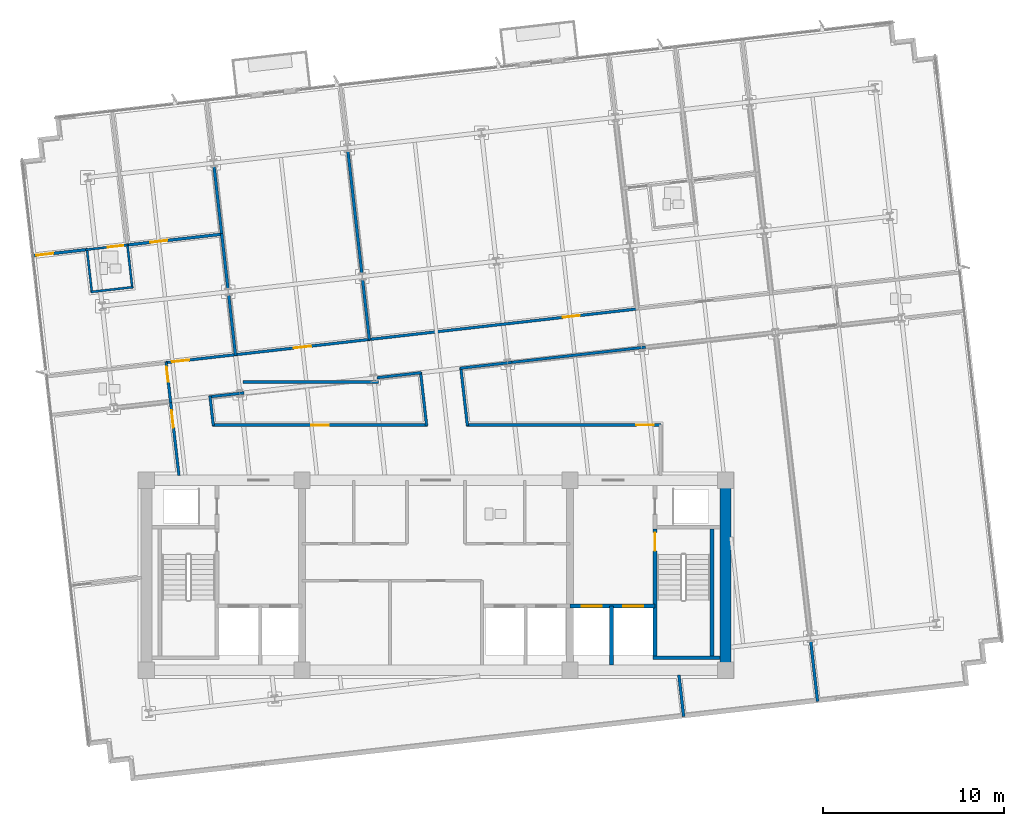
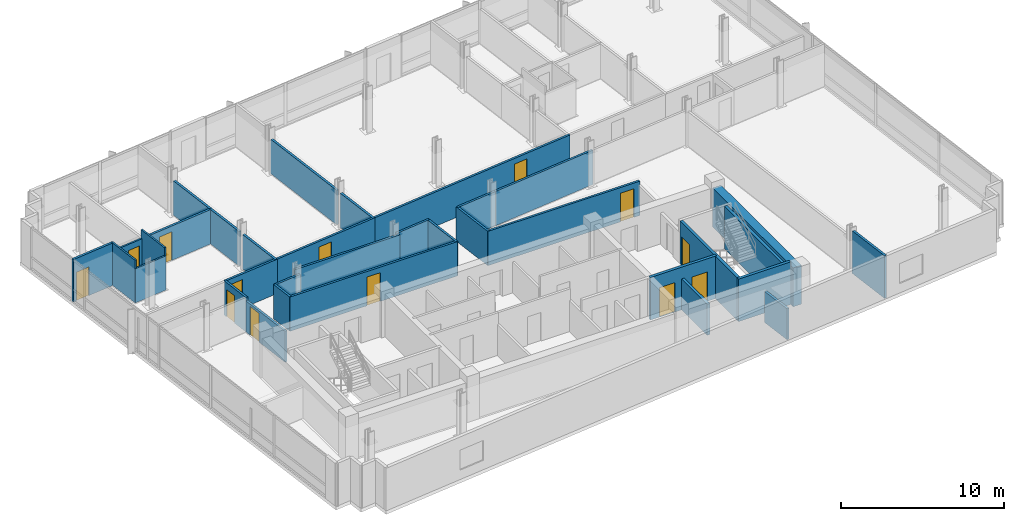
# One storey, part 9 of 15: 34 walls, 13 doors, 13 openings.
"""IFC4 building model written with IfcOpenShell, lengths in metres."""

from ifc_helpers import new_model, si_unit, direction, frame, frame_2d, origin, place, context, subcontext, project, spatial, rectangle, extrude, material, layer, layer_set, type_object, element, fill, save


model = new_model("IFC4")

# Units and contexts
model_context = context("Model", 3, precision=1e-05, world=origin(), true_north=direction((0.0, 1.0)))
body_context = subcontext(model_context, "Body", "Model", "MODEL_VIEW")
ifc_project = project(units=[si_unit("LENGTHUNIT", "METRE"), si_unit("AREAUNIT", "SQUARE_METRE"), si_unit("VOLUMEUNIT", "CUBIC_METRE"), si_unit("PLANEANGLEUNIT", "RADIAN"), si_unit("MASSUNIT", "GRAM", prefix="KILO")], contexts=[model_context])

# Site, building, storey
site_placement = place(None, origin())
site = spatial("IfcSite", under=ifc_project, at=site_placement, CompositionType="ELEMENT")
building_placement = place(site_placement, origin())
building = spatial("IfcBuilding", under=site, at=building_placement, Name="Solmavex Isthmus Hotel", CompositionType="ELEMENT")
storey_placement = place(building_placement, frame((0.0, 0.0, 226.199951171875)))
storey = spatial("IfcBuildingStorey", under=building, at=storey_placement, Name="L61", CompositionType="ELEMENT", Elevation=226.199951171875)

# Wall, opening, door
ifc_material_1 = material(Name="Gypsum plasterboard lining", Category="gypsum")
ifc_layer_1 = layer(ifc_material_1, 0.159912109375)
ifc_layer_set_1 = layer_set([ifc_layer_1], Name="Gypsum plasterboard lining")
wall_type_1 = type_object("IfcWallType", Name="IW-COMP-160", PredefinedType="PARTITIONING", material=ifc_layer_set_1)
wall_1_placement = place(storey_placement, frame((-22.2958984375, 9.89990234375, 0.0), z_axis=(0.0, 0.0, 1.0), x_axis=(0.993565909035, 0.113255394587, 0.0)))
wall_1 = element("IfcWall", 1, at=wall_1_placement, inside=storey, type_object=wall_type_1, Name="Interior Partition Wall W-L61-P022", PredefinedType="PARTITIONING", context=body_context, shape_type="SweptSolid", body=[
    extrude(rectangle(XDim=3.073974609375, YDim=0.159912109375, at=frame_2d((1.537109375, 0.0))), origin(), (0.0, 0.0, 1.0), 3.18994140625),
])
opening_1_placement = place(wall_1_placement, frame((0.2099609375, 0.0, 0.0)))
opening_1 = element("IfcOpeningElement", 2, at=opening_1_placement, cuts=wall_1, Name="Opening ID-C095", PredefinedType="OPENING", context=body_context, shape_type="SweptSolid", body=[
    extrude(rectangle(XDim=0.949951171875, YDim=2.14990234375, at=frame_2d((0.47509765625, 1.074951171875))), frame((0.0, 0.08984375, 0.0), z_axis=(0.0, -1.0, 0.0), x_axis=(1.0, 0.0, 0.0)), (0.0, 0.0, 1.0), 0.179931640625),
])
ifc_material_2 = material(Name="Hardwood timber", Category="wood")
door_type_1 = type_object("IfcDoorType", Name="IDR-FD60-0950", OperationType="NOTDEFINED", PredefinedType="DOOR", material=ifc_material_2)
door_1_placement = place(opening_1_placement, origin())
door_1 = element("IfcDoor", 3, at=door_1_placement, inside=storey, type_object=door_type_1, Name="Presidential Suite Bedroom Door L61-02", OperationType="SINGLE_SWING_RIGHT", OverallHeight=2.14990234375, OverallWidth=0.949951171875, PredefinedType="DOOR", context=body_context, shape_type="SweptSolid", body=[
    extrude(rectangle(XDim=0.949951171875, YDim=2.14990234375, at=frame_2d((0.47509765625, 1.074951171875))), frame((0.0, 0.02490234375, 0.0), z_axis=(0.0, -1.0, 0.0), x_axis=(1.0, 0.0, 0.0)), (0.0, 0.0, 1.0), 0.050048828125),
])
fill(opening_1, door_1)

wall_2_placement = place(storey_placement, frame((-17.085693359375, 10.49365234375, 0.0), z_axis=(0.0, 0.0, 1.0), x_axis=(0.993570013337, 0.113219382606, 0.0)))
wall_2 = element("IfcWall", 4, at=wall_2_placement, inside=storey, type_object=wall_type_1, Name="Interior Partition Wall W-L61-P023", PredefinedType="PARTITIONING", context=body_context, shape_type="SweptSolid", body=[
    extrude(rectangle(XDim=5.323974609375, YDim=0.159912109375, at=frame_2d((2.662109375, 0.0))), origin(), (0.0, 0.0, 1.0), 2.572265625),
])
opening_2_placement = place(wall_2_placement, frame((1.305908203125, 0.0, 0.0)))
opening_2 = element("IfcOpeningElement", 5, at=opening_2_placement, cuts=wall_2, Name="Opening ID-C095", PredefinedType="OPENING", context=body_context, shape_type="SweptSolid", body=[
    extrude(rectangle(XDim=0.949951171875, YDim=2.14990234375, at=frame_2d((0.47509765625, 1.074951171875))), frame((0.0, 0.08984375, 0.0), z_axis=(0.0, -1.0, 0.0), x_axis=(1.0, 0.0, 0.0)), (0.0, 0.0, 1.0), 0.179931640625),
])
door_2_placement = place(opening_2_placement, origin())
door_2 = element("IfcDoor", 6, at=door_2_placement, inside=storey, type_object=door_type_1, Name="Presidential Suite Sitting Lounge Door L61-03", OperationType="SINGLE_SWING_LEFT", OverallHeight=2.14990234375, OverallWidth=0.949951171875, PredefinedType="DOOR", context=body_context, shape_type="SweptSolid", body=[
    extrude(rectangle(XDim=0.949951171875, YDim=2.14990234375, at=frame_2d((0.47509765625, 1.074951171875))), frame((0.0, 0.02490234375, 0.0), z_axis=(0.0, -1.0, 0.0), x_axis=(1.0, 0.0, 0.0)), (0.0, 0.0, 1.0), 0.050048828125),
])
fill(opening_2, door_2)

# Walls
wall_3_placement = place(storey_placement, frame((-11.840087890625, 11.131591796875, 0.0), z_axis=(0.0, 0.0, 1.0), x_axis=(0.113160011497, -0.993576777002, 0.0)))
element("IfcWall", 7, at=wall_3_placement, inside=storey, type_object=wall_type_1, Name="Interior Partition Wall W-L61-P027", PredefinedType="PARTITIONING", context=body_context, shape_type="SweptSolid", body=[
    extrude(rectangle(XDim=3.063720703125, YDim=0.159912109375, at=frame_2d((1.53173828125, 0.0))), origin(), (0.0, 0.0, 1.0), 2.572265625),
])
wall_4_placement = place(storey_placement, frame((-11.453369140625, 7.737060546875, 0.0), z_axis=(0.0, 0.0, 1.0), x_axis=(0.113229088195, -0.993568907317, 0.0)))
element("IfcWall", 8, at=wall_4_placement, inside=storey, type_object=wall_type_1, Name="Interior Partition Wall W-L61-P028", PredefinedType="PARTITIONING", context=body_context, shape_type="SweptSolid", body=[
    extrude(rectangle(XDim=3.361572265625, YDim=0.159912109375, at=frame_2d((1.6806640625, 0.0))), origin(), (0.0, 0.0, 1.0), 2.572265625),
])
wall_5_placement = place(storey_placement, frame((-12.262939453125, 14.84326171875, 0.0), z_axis=(0.0, 0.0, 1.0), x_axis=(0.113183882326, -0.993574058026, 0.0)))
element("IfcWall", 9, at=wall_5_placement, inside=storey, type_object=wall_type_1, Name="Interior Partition Wall W-L61-P033", PredefinedType="PARTITIONING", context=body_context, shape_type="SweptSolid", body=[
    extrude(rectangle(XDim=3.815673828125, YDim=0.159912109375, at=frame_2d((1.90771484375, 0.0))), origin(), (0.0, 0.0, 1.0), 2.572265625),
])
wall_6_placement = place(storey_placement, frame((-4.864990234375, 15.68603515625, 0.0), z_axis=(0.0, 0.0, 1.0), x_axis=(0.11321341463, -0.993570693382, 0.0)))
element("IfcWall", 10, at=wall_6_placement, inside=storey, type_object=wall_type_1, Name="Interior Partition Wall W-L61-P035", PredefinedType="PARTITIONING", context=body_context, shape_type="SweptSolid", body=[
    extrude(rectangle(XDim=6.79931640625, YDim=0.159912109375, at=frame_2d((3.399658203125, 0.0))), origin(), (0.0, 0.0, 1.0), 2.572265625),
])
wall_7_placement = place(storey_placement, frame((-4.05517578125, 8.580078125, 0.0), z_axis=(0.0, 0.0, 1.0), x_axis=(0.113149223935, -0.993578005555, 0.0)))
element("IfcWall", 11, at=wall_7_placement, inside=storey, type_object=wall_type_1, Name="Interior Partition Wall W-L61-P036", PredefinedType="PARTITIONING", context=body_context, shape_type="SweptSolid", body=[
    extrude(rectangle(XDim=3.361572265625, YDim=0.159912109375, at=frame_2d((1.6806640625, 0.0))), origin(), (0.0, 0.0, 1.0), 2.572265625),
])
wall_8_placement = place(storey_placement, frame((13.42138671875, -13.26025390625, 0.0), z_axis=(0.0, 0.0, 1.0), x_axis=(0.113245950232, -0.99356698554, 0.0)))
element("IfcWall", 12, at=wall_8_placement, inside=storey, type_object=wall_type_1, Name="Interior Partition Wall W-L61-P058", PredefinedType="PARTITIONING", context=body_context, shape_type="SweptSolid", body=[
    extrude(rectangle(XDim=2.313232421875, YDim=0.159912109375, at=frame_2d((1.15673828125, 0.0))), origin(), (0.0, 0.0, 1.0), 2.324951171875),
])
wall_9_placement = place(storey_placement, frame((20.702880859375, -11.3935546875, 0.0), z_axis=(0.0, 0.0, 1.0), x_axis=(0.113243883011, -0.993567221158, 0.0)))
element("IfcWall", 13, at=wall_9_placement, inside=storey, type_object=wall_type_1, Name="Interior Partition Wall W-L61-P060", PredefinedType="PARTITIONING", context=body_context, shape_type="SweptSolid", body=[
    extrude(rectangle(XDim=3.34375, YDim=0.159912109375, at=frame_2d((1.671875, 0.0))), origin(), (0.0, 0.0, 1.0), 3.18994140625),
])

# Wall, opening, door
ifc_layer_2 = layer(ifc_material_1, 0.14990234375)
ifc_layer_set_2 = layer_set([ifc_layer_2], Name="Gypsum plasterboard lining")
wall_type_2 = type_object("IfcWallType", Name="IW-CORR-150", PredefinedType="PARTITIONING", material=ifc_layer_set_2)
wall_10_placement = place(storey_placement, frame((-14.950439453125, 3.99560546875, 0.0), z_axis=(0.0, 0.0, 1.0), x_axis=(0.993575504711, 0.11317118201, 0.0)))
wall_10 = element("IfcWall", 14, at=wall_10_placement, inside=storey, type_object=wall_type_2, Name="Interior Partition Wall W-L61-P001", PredefinedType="PARTITIONING", context=body_context, shape_type="SweptSolid", body=[
    extrude(rectangle(XDim=3.980224609375, YDim=0.14990234375, at=frame_2d((1.990234375, 0.0))), origin(), (0.0, 0.0, 1.0), 2.572265625),
])
opening_3_placement = place(wall_10_placement, frame((0.368408203125, 0.0, 0.0)))
opening_3 = element("IfcOpeningElement", 15, at=opening_3_placement, cuts=wall_10, Name="Opening ID-C095", PredefinedType="OPENING", context=body_context, shape_type="SweptSolid", body=[
    extrude(rectangle(XDim=0.949951171875, YDim=2.14990234375, at=frame_2d((0.47509765625, 1.074951171875))), frame((0.0, 0.0849609375, 0.0), z_axis=(0.0, -1.0, 0.0), x_axis=(1.0, 0.0, 0.0)), (0.0, 0.0, 1.0), 0.169921875),
])
door_3_placement = place(opening_3_placement, origin())
door_3 = element("IfcDoor", 16, at=door_3_placement, inside=storey, type_object=door_type_1, Name="Presidential Suite Reception Foyer Door L61-01", OperationType="SINGLE_SWING_LEFT", OverallHeight=2.14990234375, OverallWidth=0.949951171875, PredefinedType="DOOR", context=body_context, shape_type="SweptSolid", body=[
    extrude(rectangle(XDim=0.949951171875, YDim=2.14990234375, at=frame_2d((0.47509765625, 1.074951171875))), frame((0.0, 0.02490234375, 0.0), z_axis=(0.0, -1.0, 0.0), x_axis=(1.0, 0.0, 0.0)), (0.0, 0.0, 1.0), 0.050048828125),
])
fill(opening_3, door_3)

wall_11_placement = place(storey_placement, frame((-11.158935546875, 4.427490234375, 0.0), z_axis=(0.0, 0.0, 1.0), x_axis=(0.993570360949, 0.113216332056, 0.0)))
wall_11 = element("IfcWall", 17, at=wall_11_placement, inside=storey, type_object=wall_type_2, Name="Interior Partition Wall W-L61-P002", PredefinedType="PARTITIONING", context=body_context, shape_type="SweptSolid", body=[
    extrude(rectangle(XDim=7.60986328125, YDim=0.14990234375, at=frame_2d((3.804931640625, 0.0))), origin(), (0.0, 0.0, 1.0), 2.572265625),
])
opening_4_placement = place(wall_11_placement, frame((3.330078125, 0.0, 0.0)))
opening_4 = element("IfcOpeningElement", 18, at=opening_4_placement, cuts=wall_11, Name="Opening ID-C095", PredefinedType="OPENING", context=body_context, shape_type="SweptSolid", body=[
    extrude(rectangle(XDim=0.949951171875, YDim=2.14990234375, at=frame_2d((0.47509765625, 1.074951171875))), frame((0.0, 0.0849609375, 0.0), z_axis=(0.0, -1.0, 0.0), x_axis=(1.0, 0.0, 0.0)), (0.0, 0.0, 1.0), 0.169921875),
])
door_4_placement = place(opening_4_placement, origin())
door_4 = element("IfcDoor", 19, at=door_4_placement, inside=storey, type_object=door_type_1, Name="Diplomatic Dining Room Door L61-05", OperationType="SINGLE_SWING_LEFT", OverallHeight=2.14990234375, OverallWidth=0.949951171875, PredefinedType="DOOR", context=body_context, shape_type="SweptSolid", body=[
    extrude(rectangle(XDim=0.949951171875, YDim=2.14990234375, at=frame_2d((0.47509765625, 1.074951171875))), frame((0.0, 0.02490234375, 0.0), z_axis=(0.0, -1.0, 0.0), x_axis=(1.0, 0.0, 0.0)), (0.0, 0.0, 1.0), 0.050048828125),
])
fill(opening_4, door_4)

wall_12_placement = place(storey_placement, frame((-3.7607421875, 5.2705078125, 0.0), z_axis=(0.0, 0.0, 1.0), x_axis=(0.993572177632, 0.113200387969, 0.0)))
wall_12 = element("IfcWall", 20, at=wall_12_placement, inside=storey, type_object=wall_type_2, Name="Interior Partition Wall W-L61-P003", PredefinedType="PARTITIONING", context=body_context, shape_type="SweptSolid", body=[
    extrude(rectangle(XDim=15.055908203125, YDim=0.14990234375, at=frame_2d((7.52783203125, 0.0))), origin(), (0.0, 0.0, 1.0), 2.572265625),
])
opening_5_placement = place(wall_12_placement, frame((10.826904296875, 0.0, 0.0)))
opening_5 = element("IfcOpeningElement", 21, at=opening_5_placement, cuts=wall_12, Name="Opening ID-C095", PredefinedType="OPENING", context=body_context, shape_type="SweptSolid", body=[
    extrude(rectangle(XDim=0.949951171875, YDim=2.14990234375, at=frame_2d((0.47509765625, 1.074951171875))), frame((0.0, 0.0849609375, 0.0), z_axis=(0.0, -1.0, 0.0), x_axis=(1.0, 0.0, 0.0)), (0.0, 0.0, 1.0), 0.169921875),
])
door_5_placement = place(opening_5_placement, origin())
door_5 = element("IfcDoor", 22, at=door_5_placement, inside=storey, type_object=door_type_1, Name="Corporate Briefing Office Door L61-06", OperationType="SINGLE_SWING_RIGHT", OverallHeight=2.14990234375, OverallWidth=0.949951171875, PredefinedType="DOOR", context=body_context, shape_type="SweptSolid", body=[
    extrude(rectangle(XDim=0.949951171875, YDim=2.14990234375, at=frame_2d((0.47509765625, 1.074951171875))), frame((0.0, 0.02490234375, 0.0), z_axis=(0.0, -1.0, 0.0), x_axis=(1.0, 0.0, 0.0)), (0.0, 0.0, 1.0), 0.050048828125),
])
fill(opening_5, door_5)

wall_13_placement = place(storey_placement, frame((-14.657958984375, 1.782470703125, 0.0), z_axis=(0.0, 0.0, 1.0), x_axis=(-0.113179685294, 0.993574536125, 0.0)))
wall_13 = element("IfcWall", 23, at=wall_13_placement, inside=storey, type_object=wall_type_2, Name="Interior Partition Wall W-L61-P006", PredefinedType="PARTITIONING", context=body_context, shape_type="SweptSolid", body=[
    extrude(rectangle(XDim=2.251953125, YDim=0.14990234375, at=frame_2d((1.1259765625, 0.0))), origin(), (0.0, 0.0, 1.0), 2.572265625),
])
opening_6_placement = place(wall_13_placement, frame((1.156982421875, 0.0, 0.0)))
opening_6 = element("IfcOpeningElement", 24, at=opening_6_placement, cuts=wall_13, Name="Opening ID-R085", PredefinedType="OPENING", context=body_context, shape_type="SweptSolid", body=[
    extrude(rectangle(XDim=0.85009765625, YDim=2.050048828125, at=frame_2d((0.425048828125, 1.02490234375))), frame((0.0, 0.0849609375, 0.0), z_axis=(0.0, -1.0, 0.0), x_axis=(1.0, 0.0, 0.0)), (0.0, 0.0, 1.0), 0.169921875),
])
ifc_material_3 = material(Name="Steel ASTM A500 Grade C", Category="steel")
door_type_2 = type_object("IfcDoorType", Name="IDR-FD60-0850", OperationType="NOTDEFINED", PredefinedType="DOOR", material=ifc_material_3)
door_6_placement = place(opening_6_placement, frame((0.85009765625, 0.0, 0.0), z_axis=(0.0, 0.0, 1.0), x_axis=(-1.0, 0.0, 0.0)))
door_6 = element("IfcDoor", 25, at=door_6_placement, inside=storey, type_object=door_type_2, Name="Accessible Public Restroom WC Door L61-12", OperationType="SINGLE_SWING_RIGHT", OverallHeight=2.050048828125, OverallWidth=0.85009765625, PredefinedType="DOOR", context=body_context, shape_type="SweptSolid", body=[
    extrude(rectangle(XDim=0.85009765625, YDim=2.050048828125, at=frame_2d((0.425048828125, 1.02490234375))), frame((0.0, 0.02490234375, 0.0), z_axis=(0.0, -1.0, 0.0), x_axis=(1.0, 0.0, 0.0)), (0.0, 0.0, 1.0), 0.050048828125),
])
fill(opening_6, door_6)

# Walls
wall_14_placement = place(storey_placement, frame((-10.6064453125, 2.32666015625, 0.0), z_axis=(0.0, 0.0, 1.0), x_axis=(-0.993564486687, -0.113267871856, 0.0)))
element("IfcWall", 26, at=wall_14_placement, inside=storey, type_object=wall_type_2, Name="Interior Partition Wall W-L61-P008", PredefinedType="PARTITIONING", context=body_context, shape_type="SweptSolid", body=[
    extrude(rectangle(XDim=1.927001953125, YDim=0.14990234375, at=frame_2d((0.96337890625, 0.0))), origin(), (0.0, 0.0, 1.0), 2.572265625),
])
wall_15_placement = place(storey_placement, frame((-12.48583984375, 2.15283203125, 0.0), z_axis=(0.0, 0.0, 1.0), x_axis=(0.113121752139, -0.993581133674, 0.0)))
element("IfcWall", 27, at=wall_15_placement, inside=storey, type_object=wall_type_2, Name="Interior Partition Wall W-L61-P009", PredefinedType="PARTITIONING", context=body_context, shape_type="SweptSolid", body=[
    extrude(rectangle(XDim=1.653076171875, YDim=0.14990234375, at=frame_2d((0.82666015625, 0.0))), origin(), (0.0, 0.0, 1.0), 2.572265625),
])

# Wall, opening, door
wall_16_placement = place(storey_placement, frame((-12.34326171875, 0.550048828125, 0.0), z_axis=(0.0, 0.0, 1.0), x_axis=(1.0, 0.0, 0.0)))
wall_16 = element("IfcWall", 28, at=wall_16_placement, inside=storey, type_object=wall_type_2, Name="Interior Partition Wall W-L61-P010", PredefinedType="PARTITIONING", context=body_context, shape_type="SweptSolid", body=[
    extrude(rectangle(XDim=11.86279296875, YDim=0.14990234375, at=frame_2d((5.931396484375, 0.0))), origin(), (0.0, 0.0, 1.0), 2.572265625),
])
opening_7_placement = place(wall_16_placement, frame((5.456298828125, 0.0, 0.0)))
opening_7 = element("IfcOpeningElement", 29, at=opening_7_placement, cuts=wall_16, Name="Opening ID-C095", PredefinedType="OPENING", context=body_context, shape_type="SweptSolid", body=[
    extrude(rectangle(XDim=0.949951171875, YDim=2.14990234375, at=frame_2d((0.47509765625, 1.074951171875))), frame((0.0, 0.0849609375, 0.0), z_axis=(0.0, -1.0, 0.0), x_axis=(1.0, 0.0, 0.0)), (0.0, 0.0, 1.0), 0.169921875),
])
door_7_placement = place(opening_7_placement, origin())
door_7 = element("IfcDoor", 30, at=door_7_placement, inside=storey, type_object=door_type_1, Name="Presidential Galley Kitchen Door L61-14", OperationType="SINGLE_SWING_RIGHT", OverallHeight=2.14990234375, OverallWidth=0.949951171875, PredefinedType="DOOR", context=body_context, shape_type="SweptSolid", body=[
    extrude(rectangle(XDim=0.949951171875, YDim=2.14990234375, at=frame_2d((0.47509765625, 1.074951171875))), frame((0.0, 0.02490234375, 0.0), z_axis=(0.0, -1.0, 0.0), x_axis=(1.0, 0.0, 0.0)), (0.0, 0.0, 1.0), 0.050048828125),
])
fill(opening_7, door_7)

# Walls
wall_17_placement = place(storey_placement, frame((-0.515869140625, 0.51025390625, 0.0), z_axis=(0.0, 0.0, 1.0), x_axis=(-0.113283799092, 0.993562670828, 0.0)))
element("IfcWall", 31, at=wall_17_placement, inside=storey, type_object=wall_type_2, Name="Interior Partition Wall W-L61-P011", PredefinedType="PARTITIONING", context=body_context, shape_type="SweptSolid", body=[
    extrude(rectangle(XDim=2.987060546875, YDim=0.14990234375, at=frame_2d((1.49365234375, 0.0))), origin(), (0.0, 0.0, 1.0), 2.572265625),
])
wall_18_placement = place(storey_placement, frame((-0.809814453125, 3.44287109375, 0.0), z_axis=(0.0, 0.0, 1.0), x_axis=(-0.993568355418, -0.113233930922, 0.0)))
element("IfcWall", 32, at=wall_18_placement, inside=storey, type_object=wall_type_2, Name="Interior Partition Wall W-L61-P012", PredefinedType="PARTITIONING", context=body_context, shape_type="SweptSolid", body=[
    extrude(rectangle(XDim=2.466552734375, YDim=0.14990234375, at=frame_2d((1.2333984375, 0.0))), origin(), (0.0, 0.0, 1.0), 2.572265625),
])
wall_19_placement = place(storey_placement, frame((-3.180908203125, 2.9287109375, 0.0), z_axis=(0.0, 0.0, 1.0), x_axis=(-1.0, 0.0, 0.0)))
element("IfcWall", 33, at=wall_19_placement, inside=storey, type_object=wall_type_2, Name="Interior Partition Wall W-L61-P013", PredefinedType="PARTITIONING", context=body_context, shape_type="SweptSolid", body=[
    extrude(rectangle(XDim=7.477783203125, YDim=0.14990234375, at=frame_2d((3.73876953125, 0.0))), origin(), (0.0, 0.0, 1.0), 2.572265625),
])

# Wall, opening, door
wall_20_placement = place(storey_placement, frame((-14.19970703125, -2.23974609375, 0.0), z_axis=(0.0, 0.0, 1.0), x_axis=(-0.11319839611, 0.993572404568, 0.0)))
wall_20 = element("IfcWall", 34, at=wall_20_placement, inside=storey, type_object=wall_type_2, Name="Interior Partition Wall W-L61-P014", PredefinedType="PARTITIONING", context=body_context, shape_type="SweptSolid", body=[
    extrude(rectangle(XDim=4.212158203125, YDim=0.14990234375, at=frame_2d((2.10595703125, 0.0))), origin(), (0.0, 0.0, 1.0), 2.324951171875),
])
opening_8_placement = place(wall_20_placement, frame((2.67236328125, 0.0, 0.0)))
opening_8 = element("IfcOpeningElement", 35, at=opening_8_placement, cuts=wall_20, Name="Opening ID-C095", PredefinedType="OPENING", context=body_context, shape_type="SweptSolid", body=[
    extrude(rectangle(XDim=0.949951171875, YDim=2.14990234375, at=frame_2d((0.47509765625, 1.074951171875))), frame((0.0, 0.0849609375, 0.0), z_axis=(0.0, -1.0, 0.0), x_axis=(1.0, 0.0, 0.0)), (0.0, 0.0, 1.0), 0.169921875),
])
door_8_placement = place(opening_8_placement, frame((0.949951171875, 0.0, 0.0), z_axis=(0.0, 0.0, 1.0), x_axis=(-1.0, 0.0, 0.0)))
door_8 = element("IfcDoor", 36, at=door_8_placement, inside=storey, type_object=door_type_1, Name="Protocol Meeting Room Door L61-15", OperationType="SINGLE_SWING_LEFT", OverallHeight=2.14990234375, OverallWidth=0.949951171875, PredefinedType="DOOR", context=body_context, shape_type="SweptSolid", body=[
    extrude(rectangle(XDim=0.949951171875, YDim=2.14990234375, at=frame_2d((0.47509765625, 1.074951171875))), frame((0.0, 0.02490234375, 0.0), z_axis=(0.0, -1.0, 0.0), x_axis=(1.0, 0.0, 0.0)), (0.0, 0.0, 1.0), 0.050048828125),
])
fill(opening_8, door_8)

# Walls
wall_21_placement = place(storey_placement, frame((4.18994140625, 4.012451171875, 0.0), z_axis=(0.0, 0.0, 1.0), x_axis=(-0.99356987962, -0.113220556049, 0.0)))
element("IfcWall", 37, at=wall_21_placement, inside=storey, type_object=wall_type_2, Name="Interior Partition Wall W-L61-P015", PredefinedType="PARTITIONING", context=body_context, shape_type="SweptSolid", body=[
    extrude(rectangle(XDim=2.872314453125, YDim=0.14990234375, at=frame_2d((1.43603515625, 0.0))), origin(), (0.0, 0.0, 1.0), 2.572265625),
])
wall_22_placement = place(storey_placement, frame((1.37158203125, 3.731689453125, 0.0), z_axis=(0.0, 0.0, 1.0), x_axis=(0.113174940517, -0.993575076599, 0.0)))
element("IfcWall", 38, at=wall_22_placement, inside=storey, type_object=wall_type_2, Name="Interior Partition Wall W-L61-P016", PredefinedType="PARTITIONING", context=body_context, shape_type="SweptSolid", body=[
    extrude(rectangle(XDim=3.2421875, YDim=0.14990234375, at=frame_2d((1.62109375, 0.0))), origin(), (0.0, 0.0, 1.0), 2.572265625),
])

# Wall, opening, door
wall_23_placement = place(storey_placement, frame((1.694091796875, 0.550048828125, 0.0), z_axis=(0.0, 0.0, 1.0), x_axis=(1.0, 0.0, 0.0)))
wall_23 = element("IfcWall", 39, at=wall_23_placement, inside=storey, type_object=wall_type_2, Name="Interior Partition Wall W-L61-P017", PredefinedType="PARTITIONING", context=body_context, shape_type="SweptSolid", body=[
    extrude(rectangle(XDim=10.745849609375, YDim=0.14990234375, at=frame_2d((5.373046875, 0.0))), origin(), (0.0, 0.0, 1.0), 2.572265625),
])
opening_9_placement = place(wall_23_placement, frame((9.377685546875, 0.0, 0.0)))
opening_9 = element("IfcOpeningElement", 40, at=opening_9_placement, cuts=wall_23, Name="Opening ID-C095", PredefinedType="OPENING", context=body_context, shape_type="SweptSolid", body=[
    extrude(rectangle(XDim=0.949951171875, YDim=2.14990234375, at=frame_2d((0.47509765625, 1.074951171875))), frame((0.0, 0.0849609375, 0.0), z_axis=(0.0, -1.0, 0.0), x_axis=(1.0, 0.0, 0.0)), (0.0, 0.0, 1.0), 0.169921875),
])
door_9_placement = place(opening_9_placement, frame((0.949951171875, 0.0, 0.0), z_axis=(0.0, 0.0, 1.0), x_axis=(-1.0, 0.0, 0.0)))
door_9 = element("IfcDoor", 41, at=door_9_placement, inside=storey, type_object=door_type_1, Name="Catering Servery Kitchen Door L61-17", OperationType="SINGLE_SWING_LEFT", OverallHeight=2.14990234375, OverallWidth=0.949951171875, PredefinedType="DOOR", context=body_context, shape_type="SweptSolid", body=[
    extrude(rectangle(XDim=0.949951171875, YDim=2.14990234375, at=frame_2d((0.47509765625, 1.074951171875))), frame((0.0, 0.02490234375, 0.0), z_axis=(0.0, -1.0, 0.0), x_axis=(1.0, 0.0, 0.0)), (0.0, 0.0, 1.0), 0.050048828125),
])
fill(opening_9, door_9)

# Walls
wall_24_placement = place(storey_placement, frame((11.587890625, 4.855224609375, 0.0), z_axis=(0.0, 0.0, 1.0), x_axis=(-0.993575418148, -0.113171941983, 0.0)))
element("IfcWall", 42, at=wall_24_placement, inside=storey, type_object=wall_type_2, Name="Interior Partition Wall W-L61-P019", PredefinedType="PARTITIONING", context=body_context, shape_type="SweptSolid", body=[
    extrude(rectangle(XDim=7.49853515625, YDim=0.14990234375, at=frame_2d((3.749267578125, 0.0))), origin(), (0.0, 0.0, 1.0), 2.572265625),
])
ifc_layer_3 = layer(ifc_material_1, 0.1201171875)
ifc_layer_set_3 = layer_set([ifc_layer_3], Name="Gypsum plasterboard lining")
wall_type_3 = type_object("IfcWallType", Name="IW-PART-120", PredefinedType="PARTITIONING", material=ifc_layer_set_3)
wall_25_placement = place(storey_placement, frame((-19.285888671875, 10.283203125, 0.0), z_axis=(0.0, 0.0, 1.0), x_axis=(0.113132867976, -0.993579868045, 0.0)))
element("IfcWall", 43, at=wall_25_placement, inside=storey, type_object=wall_type_3, Name="Interior Partition Wall W-L61-P024", PredefinedType="PARTITIONING", context=body_context, shape_type="SweptSolid", body=[
    extrude(rectangle(XDim=2.429931640625, YDim=0.1201171875, at=frame_2d((1.21484375, 0.0))), origin(), (0.0, 0.0, 1.0), 3.18994140625),
])
wall_26_placement = place(storey_placement, frame((-19.05517578125, 7.904052734375, 0.0), z_axis=(0.0, 0.0, 1.0), x_axis=(0.99357583204, 0.113168308226, 0.0)))
element("IfcWall", 44, at=wall_26_placement, inside=storey, type_object=wall_type_3, Name="Interior Partition Wall W-L61-P025", PredefinedType="PARTITIONING", context=body_context, shape_type="SweptSolid", body=[
    extrude(rectangle(XDim=2.329833984375, YDim=0.1201171875, at=frame_2d((1.1650390625, 0.0))), origin(), (0.0, 0.0, 1.0), 2.5576171875),
])
wall_27_placement = place(storey_placement, frame((-16.775390625, 8.12353515625, 0.0), z_axis=(0.0, 0.0, 1.0), x_axis=(-0.113232053563, 0.993568569373, 0.0)))
element("IfcWall", 45, at=wall_27_placement, inside=storey, type_object=wall_type_3, Name="Interior Partition Wall W-L61-P026", PredefinedType="PARTITIONING", context=body_context, shape_type="SweptSolid", body=[
    extrude(rectangle(XDim=2.429931640625, YDim=0.1201171875, at=frame_2d((1.21484375, 0.0))), origin(), (0.0, 0.0, 1.0), 3.18994140625),
])

# Wall, opening, door
wall_28_placement = place(storey_placement, frame((-17.006103515625, 10.502685546875, 0.0), z_axis=(0.0, 0.0, 1.0), x_axis=(-0.99357109585, -0.113209882477, 0.0)))
wall_28 = element("IfcWall", 46, at=wall_28_placement, inside=storey, type_object=wall_type_3, Name="Interior Partition Wall W-L61-P031", PredefinedType="PARTITIONING", context=body_context, shape_type="SweptSolid", body=[
    extrude(rectangle(XDim=2.3720703125, YDim=0.1201171875, at=frame_2d((1.18603515625, 0.0))), origin(), (0.0, 0.0, 1.0), 2.5576171875),
])
opening_10_placement = place(wall_28_placement, frame((0.27978515625, 0.0, 0.0)))
opening_10 = element("IfcOpeningElement", 47, at=opening_10_placement, cuts=wall_28, Name="Opening ID-U085", PredefinedType="OPENING", context=body_context, shape_type="SweptSolid", body=[
    extrude(rectangle(XDim=0.85009765625, YDim=2.10009765625, at=frame_2d((0.425048828125, 1.050048828125))), frame((0.0, 0.070068359375, 0.0), z_axis=(0.0, -1.0, 0.0), x_axis=(1.0, 0.0, 0.0)), (0.0, 0.0, 1.0), 0.14013671875),
])
door_type_3 = type_object("IfcDoorType", Name="IDR-UNR-0850", OperationType="NOTDEFINED", PredefinedType="DOOR", material=ifc_material_2)
door_10_placement = place(opening_10_placement, frame((0.85009765625, 0.0, 0.0), z_axis=(0.0, 0.0, 1.0), x_axis=(-1.0, 0.0, 0.0)))
door_10 = element("IfcDoor", 48, at=door_10_placement, inside=storey, type_object=door_type_3, Name="En-suite Bathroom Door L61-04", OperationType="SINGLE_SWING_RIGHT", OverallHeight=2.10009765625, OverallWidth=0.85009765625, PredefinedType="DOOR", context=body_context, shape_type="SweptSolid", body=[
    extrude(rectangle(XDim=0.85009765625, YDim=2.10009765625, at=frame_2d((0.425048828125, 1.050048828125))), frame((0.0, 0.02490234375, 0.0), z_axis=(0.0, -1.0, 0.0), x_axis=(1.0, 0.0, 0.0)), (0.0, 0.0, 1.0), 0.050048828125),
])
fill(opening_10, door_10)

# Wall, openings, doors
ifc_material_4 = material(Name="Concrete C40/50", Category="concrete")
ifc_layer_4 = layer(ifc_material_4, 0.199951171875)
ifc_layer_set_4 = layer_set([ifc_layer_4], Name="Concrete C40/50")
wall_type_4 = type_object("IfcWallType", Name="IW-SHAFT-200", PredefinedType="PARTITIONING", material=ifc_layer_set_4)
wall_29_placement = place(storey_placement, frame((7.39990234375, -9.449951171875, 0.0), z_axis=(0.0, 0.0, 1.0), x_axis=(1.0, 0.0, 0.0)))
wall_29 = element("IfcWall", 49, at=wall_29_placement, inside=storey, type_object=wall_type_4, Name="Interior Partition Wall W-L61-FFLE-S", PredefinedType="PARTITIONING", context=body_context, shape_type="SweptSolid", body=[
    extrude(rectangle(XDim=4.7001953125, YDim=0.199951171875, at=frame_2d((2.35009765625, 0.0))), origin(), (0.0, 0.0, 1.0), 3.18994140625),
])
opening_11_placement = place(wall_29_placement, frame((2.949951171875, 0.0, 0.0)))
opening_11 = element("IfcOpeningElement", 50, at=opening_11_placement, cuts=wall_29, Name="Opening LD-FF", PredefinedType="OPENING", context=body_context, shape_type="SweptSolid", body=[
    extrude(rectangle(XDim=1.10009765625, YDim=2.199951171875, at=frame_2d((0.550048828125, 1.10009765625))), frame((0.0, 0.10986328125, 0.0), z_axis=(0.0, -1.0, 0.0), x_axis=(1.0, 0.0, 0.0)), (0.0, 0.0, 1.0), 0.219970703125),
])
opening_12_placement = place(wall_29_placement, frame((0.64990234375, 0.0, 0.0)))
opening_12 = element("IfcOpeningElement", 51, at=opening_12_placement, cuts=wall_29, Name="Opening LD-SV", PredefinedType="OPENING", context=body_context, shape_type="SweptSolid", body=[
    extrude(rectangle(XDim=1.10009765625, YDim=2.199951171875, at=frame_2d((0.550048828125, 1.10009765625))), frame((0.0, 0.10986328125, 0.0), z_axis=(0.0, -1.0, 0.0), x_axis=(1.0, 0.0, 0.0)), (0.0, 0.0, 1.0), 0.219970703125),
])
ifc_material_5 = material(Name="Stainless steel 316", Category="steel")
door_type_4 = type_object("IfcDoorType", Name="LDR-FF-1100", OperationType="NOTDEFINED", PredefinedType="DOOR", material=ifc_material_5)
door_11_placement = place(opening_11_placement, origin())
door_11 = element("IfcDoor", 52, at=door_11_placement, inside=storey, type_object=door_type_4, Name="Lift Landing Door FFL-2 L61", OperationType="SLIDING_TO_LEFT", OverallHeight=2.199951171875, OverallWidth=1.10009765625, PredefinedType="DOOR", context=body_context, shape_type="SweptSolid", body=[
    extrude(rectangle(XDim=1.10009765625, YDim=2.199951171875, at=frame_2d((0.550048828125, 1.10009765625))), frame((0.0, 0.02490234375, 0.0), z_axis=(0.0, -1.0, 0.0), x_axis=(1.0, 0.0, 0.0)), (0.0, 0.0, 1.0), 0.050048828125),
])
fill(opening_11, door_11)
door_type_5 = type_object("IfcDoorType", Name="LDR-SV-1100", OperationType="NOTDEFINED", PredefinedType="DOOR", material=ifc_material_5)
door_12_placement = place(opening_12_placement, origin())
door_12 = element("IfcDoor", 53, at=door_12_placement, inside=storey, type_object=door_type_5, Name="Lift Landing Door SVL-2 L61", OperationType="SLIDING_TO_RIGHT", OverallHeight=2.199951171875, OverallWidth=1.10009765625, PredefinedType="DOOR", context=body_context, shape_type="SweptSolid", body=[
    extrude(rectangle(XDim=1.10009765625, YDim=2.199951171875, at=frame_2d((0.550048828125, 1.10009765625))), frame((0.0, 0.02490234375, 0.0), z_axis=(0.0, -1.0, 0.0), x_axis=(1.0, 0.0, 0.0)), (0.0, 0.0, 1.0), 0.050048828125),
])
fill(opening_12, door_12)

# Walls
wall_30_placement = place(storey_placement, frame((9.699951171875, -12.699951171875, 0.0), z_axis=(0.0, 0.0, 1.0), x_axis=(0.0, 1.0, 0.0)))
element("IfcWall", 54, at=wall_30_placement, inside=storey, type_object=wall_type_4, Name="Interior Partition Wall W-L61-FFLE-M", PredefinedType="PARTITIONING", context=body_context, shape_type="SweptSolid", body=[
    extrude(rectangle(XDim=3.25, YDim=0.199951171875, at=frame_2d((1.625, 0.0))), origin(), (0.0, 0.0, 1.0), 2.324951171875),
])
ifc_material_6 = material(Name="Concrete C50/60", Category="concrete")
ifc_layer_5 = layer(ifc_material_6, 0.60009765625)
ifc_layer_set_5 = layer_set([ifc_layer_5], Name="Concrete C50/60")
wall_type_5 = type_object("IfcWallType", Name="WALL-CW-600", PredefinedType="SHEAR", material=ifc_layer_set_5)
wall_31_placement = place(storey_placement, frame((16.0, -12.699951171875, 0.0), z_axis=(0.0, 0.0, 1.0), x_axis=(0.0, 1.0, 0.0)))
element("IfcWall", 55, at=wall_31_placement, inside=storey, type_object=wall_type_5, Name="Core Shear Wall East L61", PredefinedType="SHEAR", context=body_context, shape_type="SweptSolid", body=[
    extrude(rectangle(XDim=9.89990234375, YDim=0.60009765625, at=frame_2d((4.949951171875, 0.0))), origin(), (0.0, 0.0, 1.0), 2.91015625),
])
ifc_layer_6 = layer(ifc_material_4, 0.199951171875)
ifc_layer_set_6 = layer_set([ifc_layer_6], Name="Concrete C40/50")
wall_type_6 = type_object("IfcWallType", Name="WALL-SW-200", PredefinedType="SOLIDWALL", material=ifc_layer_set_6)
wall_32_placement = place(storey_placement, frame((12.0, -12.300048828125, 0.0), z_axis=(0.0, 0.0, 1.0), x_axis=(1.0, 0.0, 0.0)))
element("IfcWall", 56, at=wall_32_placement, inside=storey, type_object=wall_type_6, Name="Stairwell Structural Wall SW-L61-ST2-S", PredefinedType="SOLIDWALL", context=body_context, shape_type="SweptSolid", body=[
    extrude(rectangle(XDim=3.699951171875, YDim=0.199951171875, at=frame_2d((1.85009765625, 0.0))), origin(), (0.0, 0.0, 1.0), 3.18994140625),
])

# Wall, opening, door
wall_33_placement = place(storey_placement, frame((12.10009765625, -12.199951171875, 0.0), z_axis=(0.0, 0.0, 1.0), x_axis=(0.0, 1.0, 0.0)))
wall_33 = element("IfcWall", 57, at=wall_33_placement, inside=storey, type_object=wall_type_6, Name="Stairwell Structural Wall SW-L61-ST2-W", PredefinedType="SOLIDWALL", context=body_context, shape_type="SweptSolid", body=[
    extrude(rectangle(XDim=7.0, YDim=0.199951171875, at=frame_2d((3.5, 0.0))), origin(), (0.0, 0.0, 1.0), 3.18994140625),
])
opening_13_placement = place(wall_33_placement, frame((5.800048828125, 0.0, 0.0)))
opening_13 = element("IfcOpeningElement", 58, at=opening_13_placement, cuts=wall_33, Name="Opening ID-F100", PredefinedType="OPENING", context=body_context, shape_type="SweptSolid", body=[
    extrude(rectangle(XDim=1.0, YDim=2.10009765625, at=frame_2d((0.5, 1.050048828125))), frame((0.0, 0.10986328125, 0.0), z_axis=(0.0, -1.0, 0.0), x_axis=(1.0, 0.0, 0.0)), (0.0, 0.0, 1.0), 0.219970703125),
])
door_type_6 = type_object("IfcDoorType", Name="IDR-FD90-1000", OperationType="NOTDEFINED", PredefinedType="DOOR", material=ifc_material_3)
door_13_placement = place(opening_13_placement, origin())
door_13 = element("IfcDoor", 59, at=door_13_placement, inside=storey, type_object=door_type_6, Name="Stair ST-2 Fire Door L61", OperationType="SINGLE_SWING_RIGHT", OverallHeight=2.10009765625, OverallWidth=1.0, PredefinedType="DOOR", context=body_context, shape_type="SweptSolid", body=[
    extrude(rectangle(XDim=1.0, YDim=2.10009765625, at=frame_2d((0.5, 1.050048828125))), frame((0.0, 0.02490234375, 0.0), z_axis=(0.0, -1.0, 0.0), x_axis=(1.0, 0.0, 0.0)), (0.0, 0.0, 1.0), 0.050048828125),
])
fill(opening_13, door_13)

# Wall
wall_34_placement = place(storey_placement, frame((15.25, -12.199951171875, 0.0), z_axis=(0.0, 0.0, 1.0), x_axis=(0.0, 1.0, 0.0)))
element("IfcWall", 60, at=wall_34_placement, inside=storey, type_object=wall_type_6, Name="Stairwell Structural Wall SW-L61-ST2-E", PredefinedType="SOLIDWALL", context=body_context, shape_type="SweptSolid", body=[
    extrude(rectangle(XDim=7.0, YDim=0.199951171875, at=frame_2d((3.5, 0.0))), origin(), (0.0, 0.0, 1.0), 3.18994140625),
])

save(model, "model.ifc")
